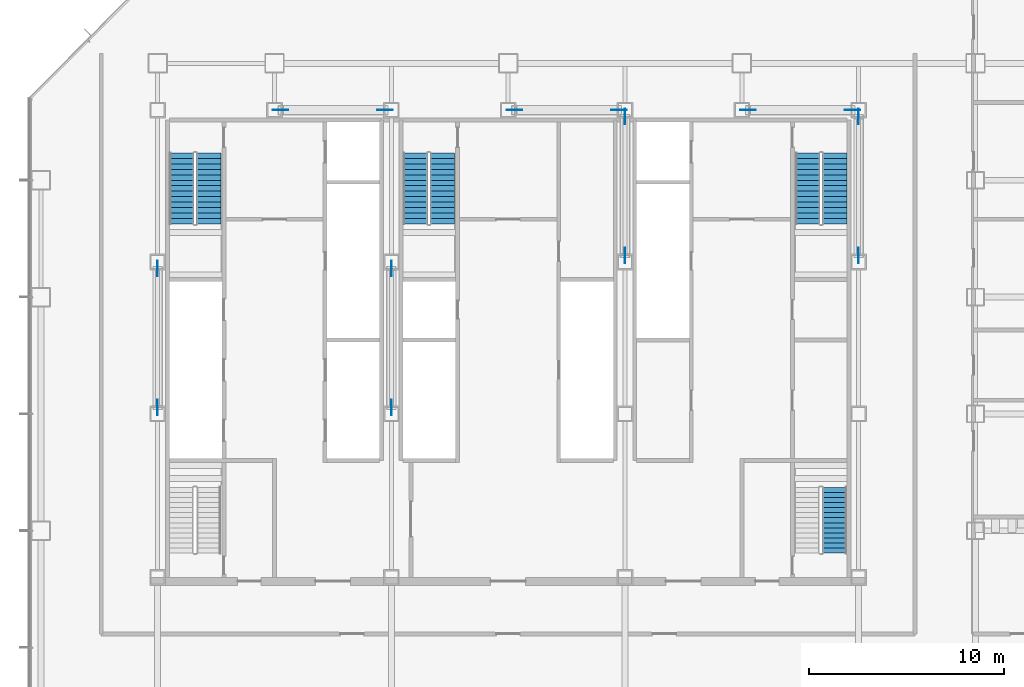
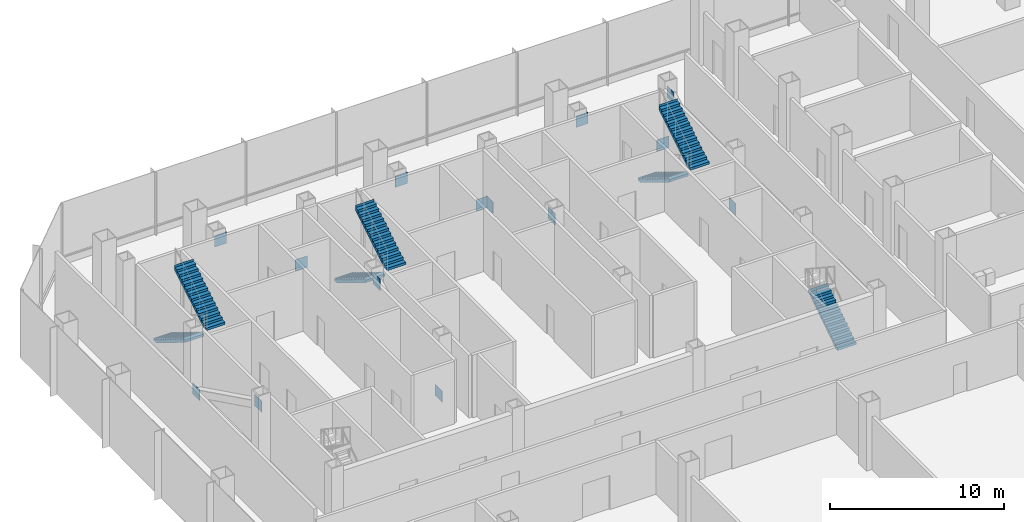
# One storey, part 26 of 33: 14 discrete accessories, 7 stair flights, 4 elements without a shape of their own.
"""IFC4 building model written with IfcOpenShell, lengths in metres."""

from ifc_helpers import new_model, si_unit, direction, frame, origin, origin_2d, place, context, subcontext, project, spatial, polyline, rectangle, outline, extrude, material, layer, layer_set, type_object, element, aggregate, save


model = new_model("IFC4")

# Units and contexts
model_context = context("Model", 3, precision=1e-05, world=origin(), true_north=direction((0.0, 1.0)))
body_context = subcontext(model_context, "Body", "Model", "MODEL_VIEW")
ifc_project = project(units=[si_unit("LENGTHUNIT", "METRE"), si_unit("AREAUNIT", "SQUARE_METRE"), si_unit("VOLUMEUNIT", "CUBIC_METRE"), si_unit("PLANEANGLEUNIT", "RADIAN"), si_unit("MASSUNIT", "GRAM", prefix="KILO")], contexts=[model_context])

# Site, building, storey
site_placement = place(None, origin())
site = spatial("IfcSite", under=ifc_project, at=site_placement, CompositionType="ELEMENT")
building_placement = place(site_placement, origin())
building = spatial("IfcBuilding", under=site, at=building_placement, Name="Sorahane Residences", CompositionType="ELEMENT")
storey_placement = place(building_placement, frame((0.0, 0.0, 34.800048828125)))
storey = spatial("IfcBuildingStorey", under=building, at=storey_placement, Name="L05", CompositionType="ELEMENT", Elevation=34.800048828125)

# Stair, stair flights
ifc_material_1 = material(Name="Concrete C40", Category="concrete")
stair_type = type_object("IfcStairType", Name="Dog-leg stair 1250 Concrete C40", PredefinedType="HALF_TURN_STAIR", material=ifc_material_1)
stair_1_placement = place(storey_placement, origin())
stair_1 = element("IfcStair", 1, at=stair_1_placement, inside=storey, type_object=stair_type, Name="L05 Stair S1", PredefinedType="HALF_TURN_STAIR")
ifc_material_2 = material(Name="Concrete C40", Category="concrete")
stair_flight_type = type_object("IfcStairFlightType", Name="Stair flight 1250 Concrete C40", PredefinedType="STRAIGHT", material=ifc_material_2)
stair_flight_1_placement = place(storey_placement, frame((7.22509765625, 43.39990234375, 0.0), z_axis=(0.0, 0.0, 1.0), x_axis=(0.0, -1.0, 0.0)))
stair_flight_1 = element("IfcStairFlight", 2, at=stair_flight_1_placement, type_object=stair_flight_type, Name="S1 flight 1", NumberOfRisers=14, NumberOfTreads=13, PredefinedType="STRAIGHT", RiserHeight=0.171428571, TreadLength=0.28, context=body_context, shape_type="SweptSolid", body=[
    extrude(outline(polyline([(-0.00146484375, 0.0), (-0.00146484375, 0.17138671875), (0.0, 0.17138671875), (0.280029296875, 0.17138671875), (0.280029296875, 0.3427734375), (0.56005859375, 0.3427734375), (0.56005859375, 0.514404296875), (0.840087890625, 0.514404296875), (0.840087890625, 0.685791015625), (1.1201171875, 0.685791015625), (1.1201171875, 0.857177734375), (1.39990234375, 0.857177734375), (1.39990234375, 1.028564453125), (1.679931640625, 1.028564453125), (1.679931640625, 1.199951171875), (1.9599609375, 1.199951171875), (1.9599609375, 1.371337890625), (2.239990234375, 1.371337890625), (2.239990234375, 1.54296875), (2.52001953125, 1.54296875), (2.52001953125, 1.71435546875), (2.800048828125, 1.71435546875), (2.800048828125, 1.8857421875), (3.080078125, 1.8857421875), (3.080078125, 2.05712890625), (3.360107421875, 2.05712890625), (3.360107421875, 2.228515625), (3.639892578125, 2.228515625), (3.639892578125, 2.39990234375), (3.639892578125, 2.052734375), (3.41650390625, 1.916015625), (3.19287109375, 1.779052734375), (2.969482421875, 1.642333984375), (2.745849609375, 1.50537109375), (2.5224609375, 1.36865234375), (2.298828125, 1.231689453125), (2.0751953125, 1.0947265625), (1.851806640625, 0.9580078125), (1.628173828125, 0.821044921875), (1.40478515625, 0.684326171875), (1.18115234375, 0.54736328125), (0.957763671875, 0.41064453125), (0.734130859375, 0.273681640625), (0.510498046875, 0.136962890625), (0.287109375, 0.0), (-0.00146484375, 0.0)])), frame((0.0, 0.625, 0.0), z_axis=(0.0, -1.0, 0.0), x_axis=(1.0, 0.0, 0.0)), (0.0, 0.0, 1.0), 1.25),
])
stair_flight_2_placement = place(storey_placement, frame((8.625, 39.760009765625, 2.39990234375), z_axis=(0.0, 0.0, 1.0), x_axis=(0.0, 1.0, 0.0)))
stair_flight_2 = element("IfcStairFlight", 3, at=stair_flight_2_placement, type_object=stair_flight_type, Name="S1 flight 2", NumberOfRisers=14, NumberOfTreads=13, PredefinedType="STRAIGHT", RiserHeight=0.171428571, TreadLength=0.28, context=body_context, shape_type="SweptSolid", body=[
    extrude(outline(polyline([(0.0, 0.0), (0.0, 0.17138671875), (0.280029296875, 0.17138671875), (0.280029296875, 0.3427734375), (0.56005859375, 0.3427734375), (0.56005859375, 0.514404296875), (0.840087890625, 0.514404296875), (0.840087890625, 0.685791015625), (1.1201171875, 0.685791015625), (1.1201171875, 0.857177734375), (1.39990234375, 0.857177734375), (1.39990234375, 1.028564453125), (1.679931640625, 1.028564453125), (1.679931640625, 1.199951171875), (1.9599609375, 1.199951171875), (1.9599609375, 1.371337890625), (2.239990234375, 1.371337890625), (2.239990234375, 1.54296875), (2.52001953125, 1.54296875), (2.52001953125, 1.71435546875), (2.800048828125, 1.71435546875), (2.800048828125, 1.8857421875), (3.080078125, 1.8857421875), (3.080078125, 2.05712890625), (3.360107421875, 2.05712890625), (3.360107421875, 2.228515625), (3.639892578125, 2.228515625), (3.639892578125, 2.39990234375), (3.6416015625, 2.39990234375), (3.6416015625, 2.052734375), (3.41796875, 1.916015625), (3.1943359375, 1.779052734375), (2.970703125, 1.642333984375), (2.7470703125, 1.50537109375), (2.5234375, 1.36865234375), (2.2998046875, 1.231689453125), (2.076171875, 1.0947265625), (1.8525390625, 0.9580078125), (1.62890625, 0.821044921875), (1.4052734375, 0.684326171875), (1.181640625, 0.54736328125), (0.9580078125, 0.41064453125), (0.734375, 0.273681640625), (0.5107421875, 0.136962890625), (0.287109375, 0.0), (0.0, 0.0)])), frame((0.0, 0.625, 0.0), z_axis=(0.0, -1.0, 0.0), x_axis=(1.0, 0.0, 0.0)), (0.0, 0.0, 1.0), 1.25),
])
aggregate(stair_1, [stair_flight_1, stair_flight_2])

stair_2_placement = place(storey_placement, origin())
stair_2 = element("IfcStair", 4, at=stair_2_placement, inside=storey, type_object=stair_type, Name="L05 Stair S2", PredefinedType="HALF_TURN_STAIR")
stair_flight_3_placement = place(storey_placement, frame((39.375, 43.39990234375, 0.0), z_axis=(0.0, 0.0, 1.0), x_axis=(0.0, -1.0, 0.0)))
stair_flight_3 = element("IfcStairFlight", 5, at=stair_flight_3_placement, type_object=stair_flight_type, Name="S2 flight 1", NumberOfRisers=14, NumberOfTreads=13, PredefinedType="STRAIGHT", RiserHeight=0.171428571, TreadLength=0.28, context=body_context, shape_type="SweptSolid", body=[
    extrude(outline(polyline([(-0.00146484375, 0.0), (-0.00146484375, 0.17138671875), (0.0, 0.17138671875), (0.280029296875, 0.17138671875), (0.280029296875, 0.3427734375), (0.56005859375, 0.3427734375), (0.56005859375, 0.514404296875), (0.840087890625, 0.514404296875), (0.840087890625, 0.685791015625), (1.1201171875, 0.685791015625), (1.1201171875, 0.857177734375), (1.39990234375, 0.857177734375), (1.39990234375, 1.028564453125), (1.679931640625, 1.028564453125), (1.679931640625, 1.199951171875), (1.9599609375, 1.199951171875), (1.9599609375, 1.371337890625), (2.239990234375, 1.371337890625), (2.239990234375, 1.54296875), (2.52001953125, 1.54296875), (2.52001953125, 1.71435546875), (2.800048828125, 1.71435546875), (2.800048828125, 1.8857421875), (3.080078125, 1.8857421875), (3.080078125, 2.05712890625), (3.360107421875, 2.05712890625), (3.360107421875, 2.228515625), (3.639892578125, 2.228515625), (3.639892578125, 2.39990234375), (3.639892578125, 2.052734375), (3.41650390625, 1.916015625), (3.19287109375, 1.779052734375), (2.969482421875, 1.642333984375), (2.745849609375, 1.50537109375), (2.5224609375, 1.36865234375), (2.298828125, 1.231689453125), (2.0751953125, 1.0947265625), (1.851806640625, 0.9580078125), (1.628173828125, 0.821044921875), (1.40478515625, 0.684326171875), (1.18115234375, 0.54736328125), (0.957763671875, 0.41064453125), (0.734130859375, 0.273681640625), (0.510498046875, 0.136962890625), (0.287109375, 0.0), (-0.00146484375, 0.0)])), frame((0.0, 0.625, 0.0), z_axis=(0.0, -1.0, 0.0), x_axis=(1.0, 0.0, 0.0)), (0.0, 0.0, 1.0), 1.25),
])
stair_flight_4_placement = place(storey_placement, frame((40.77490234375, 39.760009765625, 2.39990234375), z_axis=(0.0, 0.0, 1.0), x_axis=(0.0, 1.0, 0.0)))
stair_flight_4 = element("IfcStairFlight", 6, at=stair_flight_4_placement, type_object=stair_flight_type, Name="S2 flight 2", NumberOfRisers=14, NumberOfTreads=13, PredefinedType="STRAIGHT", RiserHeight=0.171428571, TreadLength=0.28, context=body_context, shape_type="SweptSolid", body=[
    extrude(outline(polyline([(0.0, 0.0), (0.0, 0.17138671875), (0.280029296875, 0.17138671875), (0.280029296875, 0.3427734375), (0.56005859375, 0.3427734375), (0.56005859375, 0.514404296875), (0.840087890625, 0.514404296875), (0.840087890625, 0.685791015625), (1.1201171875, 0.685791015625), (1.1201171875, 0.857177734375), (1.39990234375, 0.857177734375), (1.39990234375, 1.028564453125), (1.679931640625, 1.028564453125), (1.679931640625, 1.199951171875), (1.9599609375, 1.199951171875), (1.9599609375, 1.371337890625), (2.239990234375, 1.371337890625), (2.239990234375, 1.54296875), (2.52001953125, 1.54296875), (2.52001953125, 1.71435546875), (2.800048828125, 1.71435546875), (2.800048828125, 1.8857421875), (3.080078125, 1.8857421875), (3.080078125, 2.05712890625), (3.360107421875, 2.05712890625), (3.360107421875, 2.228515625), (3.639892578125, 2.228515625), (3.639892578125, 2.39990234375), (3.6416015625, 2.39990234375), (3.6416015625, 2.052734375), (3.41796875, 1.916015625), (3.1943359375, 1.779052734375), (2.970703125, 1.642333984375), (2.7470703125, 1.50537109375), (2.5234375, 1.36865234375), (2.2998046875, 1.231689453125), (2.076171875, 1.0947265625), (1.8525390625, 0.9580078125), (1.62890625, 0.821044921875), (1.4052734375, 0.684326171875), (1.181640625, 0.54736328125), (0.9580078125, 0.41064453125), (0.734375, 0.273681640625), (0.5107421875, 0.136962890625), (0.287109375, 0.0), (0.0, 0.0)])), frame((0.0, 0.625, 0.0), z_axis=(0.0, -1.0, 0.0), x_axis=(1.0, 0.0, 0.0)), (0.0, 0.0, 1.0), 1.25),
])
aggregate(stair_2, [stair_flight_3, stair_flight_4])

stair_3_placement = place(storey_placement, origin())
stair_3 = element("IfcStair", 7, at=stair_3_placement, inside=storey, type_object=stair_type, Name="L05 Stair S3", PredefinedType="HALF_TURN_STAIR")
stair_flight_5_placement = place(storey_placement, frame((19.22509765625, 43.39990234375, 0.0), z_axis=(0.0, 0.0, 1.0), x_axis=(0.0, -1.0, 0.0)))
stair_flight_5 = element("IfcStairFlight", 8, at=stair_flight_5_placement, type_object=stair_flight_type, Name="S3 flight 1", NumberOfRisers=14, NumberOfTreads=13, PredefinedType="STRAIGHT", RiserHeight=0.171428571, TreadLength=0.28, context=body_context, shape_type="SweptSolid", body=[
    extrude(outline(polyline([(-0.00146484375, 0.0), (-0.00146484375, 0.17138671875), (0.0, 0.17138671875), (0.280029296875, 0.17138671875), (0.280029296875, 0.3427734375), (0.56005859375, 0.3427734375), (0.56005859375, 0.514404296875), (0.840087890625, 0.514404296875), (0.840087890625, 0.685791015625), (1.1201171875, 0.685791015625), (1.1201171875, 0.857177734375), (1.39990234375, 0.857177734375), (1.39990234375, 1.028564453125), (1.679931640625, 1.028564453125), (1.679931640625, 1.199951171875), (1.9599609375, 1.199951171875), (1.9599609375, 1.371337890625), (2.239990234375, 1.371337890625), (2.239990234375, 1.54296875), (2.52001953125, 1.54296875), (2.52001953125, 1.71435546875), (2.800048828125, 1.71435546875), (2.800048828125, 1.8857421875), (3.080078125, 1.8857421875), (3.080078125, 2.05712890625), (3.360107421875, 2.05712890625), (3.360107421875, 2.228515625), (3.639892578125, 2.228515625), (3.639892578125, 2.39990234375), (3.639892578125, 2.052734375), (3.41650390625, 1.916015625), (3.19287109375, 1.779052734375), (2.969482421875, 1.642333984375), (2.745849609375, 1.50537109375), (2.5224609375, 1.36865234375), (2.298828125, 1.231689453125), (2.0751953125, 1.0947265625), (1.851806640625, 0.9580078125), (1.628173828125, 0.821044921875), (1.40478515625, 0.684326171875), (1.18115234375, 0.54736328125), (0.957763671875, 0.41064453125), (0.734130859375, 0.273681640625), (0.510498046875, 0.136962890625), (0.287109375, 0.0), (-0.00146484375, 0.0)])), frame((0.0, 0.625, 0.0), z_axis=(0.0, -1.0, 0.0), x_axis=(1.0, 0.0, 0.0)), (0.0, 0.0, 1.0), 1.25),
])
stair_flight_6_placement = place(storey_placement, frame((20.625, 39.760009765625, 2.39990234375), z_axis=(0.0, 0.0, 1.0), x_axis=(0.0, 1.0, 0.0)))
stair_flight_6 = element("IfcStairFlight", 9, at=stair_flight_6_placement, type_object=stair_flight_type, Name="S3 flight 2", NumberOfRisers=14, NumberOfTreads=13, PredefinedType="STRAIGHT", RiserHeight=0.171428571, TreadLength=0.28, context=body_context, shape_type="SweptSolid", body=[
    extrude(outline(polyline([(0.0, 0.0), (0.0, 0.17138671875), (0.280029296875, 0.17138671875), (0.280029296875, 0.3427734375), (0.56005859375, 0.3427734375), (0.56005859375, 0.514404296875), (0.840087890625, 0.514404296875), (0.840087890625, 0.685791015625), (1.1201171875, 0.685791015625), (1.1201171875, 0.857177734375), (1.39990234375, 0.857177734375), (1.39990234375, 1.028564453125), (1.679931640625, 1.028564453125), (1.679931640625, 1.199951171875), (1.9599609375, 1.199951171875), (1.9599609375, 1.371337890625), (2.239990234375, 1.371337890625), (2.239990234375, 1.54296875), (2.52001953125, 1.54296875), (2.52001953125, 1.71435546875), (2.800048828125, 1.71435546875), (2.800048828125, 1.8857421875), (3.080078125, 1.8857421875), (3.080078125, 2.05712890625), (3.360107421875, 2.05712890625), (3.360107421875, 2.228515625), (3.639892578125, 2.228515625), (3.639892578125, 2.39990234375), (3.6416015625, 2.39990234375), (3.6416015625, 2.052734375), (3.41796875, 1.916015625), (3.1943359375, 1.779052734375), (2.970703125, 1.642333984375), (2.7470703125, 1.50537109375), (2.5234375, 1.36865234375), (2.2998046875, 1.231689453125), (2.076171875, 1.0947265625), (1.8525390625, 0.9580078125), (1.62890625, 0.821044921875), (1.4052734375, 0.684326171875), (1.181640625, 0.54736328125), (0.9580078125, 0.41064453125), (0.734375, 0.273681640625), (0.5107421875, 0.136962890625), (0.287109375, 0.0), (0.0, 0.0)])), frame((0.0, 0.625, 0.0), z_axis=(0.0, -1.0, 0.0), x_axis=(1.0, 0.0, 0.0)), (0.0, 0.0, 1.0), 1.25),
])
aggregate(stair_3, [stair_flight_5, stair_flight_6])

# Stair, stair flight
stair_4_placement = place(storey_placement, origin())
stair_4 = element("IfcStair", 10, at=stair_4_placement, inside=storey, type_object=stair_type, Name="L05 Stair S5", PredefinedType="HALF_TURN_STAIR")
stair_flight_7_placement = place(storey_placement, frame((40.77490234375, 22.85009765625, 0.0), z_axis=(0.0, 0.0, 1.0), x_axis=(0.0, 1.0, 0.0)))
stair_flight_7 = element("IfcStairFlight", 11, at=stair_flight_7_placement, type_object=stair_flight_type, Name="S5 flight 1", NumberOfRisers=14, NumberOfTreads=13, PredefinedType="STRAIGHT", RiserHeight=0.171428571, TreadLength=0.26, context=body_context, shape_type="SweptSolid", body=[
    extrude(outline(polyline([(-0.00146484375, 0.0), (-0.00146484375, 0.17138671875), (0.0, 0.17138671875), (0.260009765625, 0.17138671875), (0.260009765625, 0.3427734375), (0.52001953125, 0.3427734375), (0.52001953125, 0.514404296875), (0.780029296875, 0.514404296875), (0.780029296875, 0.685791015625), (1.0400390625, 0.685791015625), (1.0400390625, 0.857177734375), (1.300048828125, 0.857177734375), (1.300048828125, 1.028564453125), (1.56005859375, 1.028564453125), (1.56005859375, 1.199951171875), (1.820068359375, 1.199951171875), (1.820068359375, 1.371337890625), (2.080078125, 1.371337890625), (2.080078125, 1.54296875), (2.340087890625, 1.54296875), (2.340087890625, 1.71435546875), (2.60009765625, 1.71435546875), (2.60009765625, 1.8857421875), (2.860107421875, 1.8857421875), (2.860107421875, 2.05712890625), (3.1201171875, 2.05712890625), (3.1201171875, 2.228515625), (3.3798828125, 2.228515625), (3.3798828125, 2.39990234375), (3.3798828125, 2.084716796875), (3.169189453125, 1.94580078125), (2.95849609375, 1.806640625), (2.74755859375, 1.667724609375), (2.536865234375, 1.52880859375), (2.326171875, 1.389892578125), (2.115234375, 1.250732421875), (1.904541015625, 1.11181640625), (1.693603515625, 0.972900390625), (1.48291015625, 0.833984375), (1.272216796875, 0.69482421875), (1.061279296875, 0.555908203125), (0.8505859375, 0.4169921875), (0.639892578125, 0.278076171875), (0.428955078125, 0.138916015625), (0.21826171875, 0.0), (-0.00146484375, 0.0)])), frame((0.0, 0.625, 0.0), z_axis=(0.0, -1.0, 0.0), x_axis=(1.0, 0.0, 0.0)), (0.0, 0.0, 1.0), 1.25),
])
aggregate(stair_4, [stair_flight_7])

# Discrete accessories
ifc_material_3 = material(Name="Steel Q355B", Category="steel")
ifc_layer = layer(ifc_material_3, 0.02490234375)
ifc_layer_set = layer_set([ifc_layer], Name="Node plate Steel Q355B 25")
discrete_accessory_type = type_object("IfcDiscreteAccessoryType", Name="Node plate Steel Q355B 25", PredefinedType="BRACKET", material=ifc_layer_set)
for number, where, z_axis, x_axis, name in (
    (12, (6.0, 37.46630859375, -0.1826171875), (0.0, 0.0, 1.0), (0.0, 1.0, 0.0), "Node plate L05 br"),
    (13, (6.0, 30.333740234375, 3.33251953125), (0.0, 0.0, 1.0), (0.0, 1.0, 0.0), "Node plate L05 br"),
    (14, (18.0, 30.333740234375, -0.1826171875), (0.0, 0.0, 1.0), (0.0, 1.0, 0.0), "Node plate L05 br"),
    (15, (18.0, 37.46630859375, 3.33251953125), (0.0, 0.0, 1.0), (0.0, 1.0, 0.0), "Node plate L05 br"),
    (16, (30.0, 45.266357421875, -0.1826171875), (0.0, 0.0, 1.0), (0.0, 1.0, 0.0), "Node plate L05 br"),
    (17, (30.0, 38.1337890625, 3.33251953125), (0.0, 0.0, 1.0), (0.0, 1.0, 0.0), "Node plate L05 br"),
    (18, (42.0, 38.1337890625, -0.1826171875), (0.0, 0.0, 1.0), (0.0, 1.0, 0.0), "Node plate L05 br"),
    (19, (42.0, 45.266357421875, 3.33251953125), (0.0, 0.0, 1.0), (0.0, 1.0, 0.0), "Node plate L05 br"),
    (20, (17.682861328125, 45.60009765625, -0.205078125), (0.0, 0.0, 1.0), (1.0, 0.0, 0.0), "Node plate L05 br"),
    (21, (29.682861328125, 45.60009765625, -0.205078125), (0.0, 0.0, 1.0), (1.0, 0.0, 0.0), "Node plate L05 br"),
    (22, (41.682861328125, 45.60009765625, -0.205078125), (0.0, 0.0, 1.0), (1.0, 0.0, 0.0), "Node plate L05 br"),
    (23, (12.317138671875, 45.60009765625, 3.35498046875), (0.0, 0.0, 1.0), (1.0, 0.0, 0.0), "Node plate L05 br"),
    (24, (24.317138671875, 45.60009765625, 3.35498046875), (0.0, 0.0, 1.0), (1.0, 0.0, 0.0), "Node plate L05 br"),
    (25, (36.317138671875, 45.60009765625, 3.35498046875), (0.0, 0.0, 1.0), (1.0, 0.0, 0.0), "Node plate L05 br"),
):
    element("IfcDiscreteAccessory", number, at=place(storey_placement, frame(where, z_axis=z_axis, x_axis=x_axis)), inside=storey, type_object=discrete_accessory_type, Name=name, PredefinedType="BRACKET", context=body_context, shape_type="SweptSolid", body=[
        extrude(rectangle(XDim=0.800048828125, YDim=0.02490234375, at=origin_2d()), origin(), (0.0, 0.0, 1.0), 0.800048828125),
    ])

save(model, "model.ifc")
